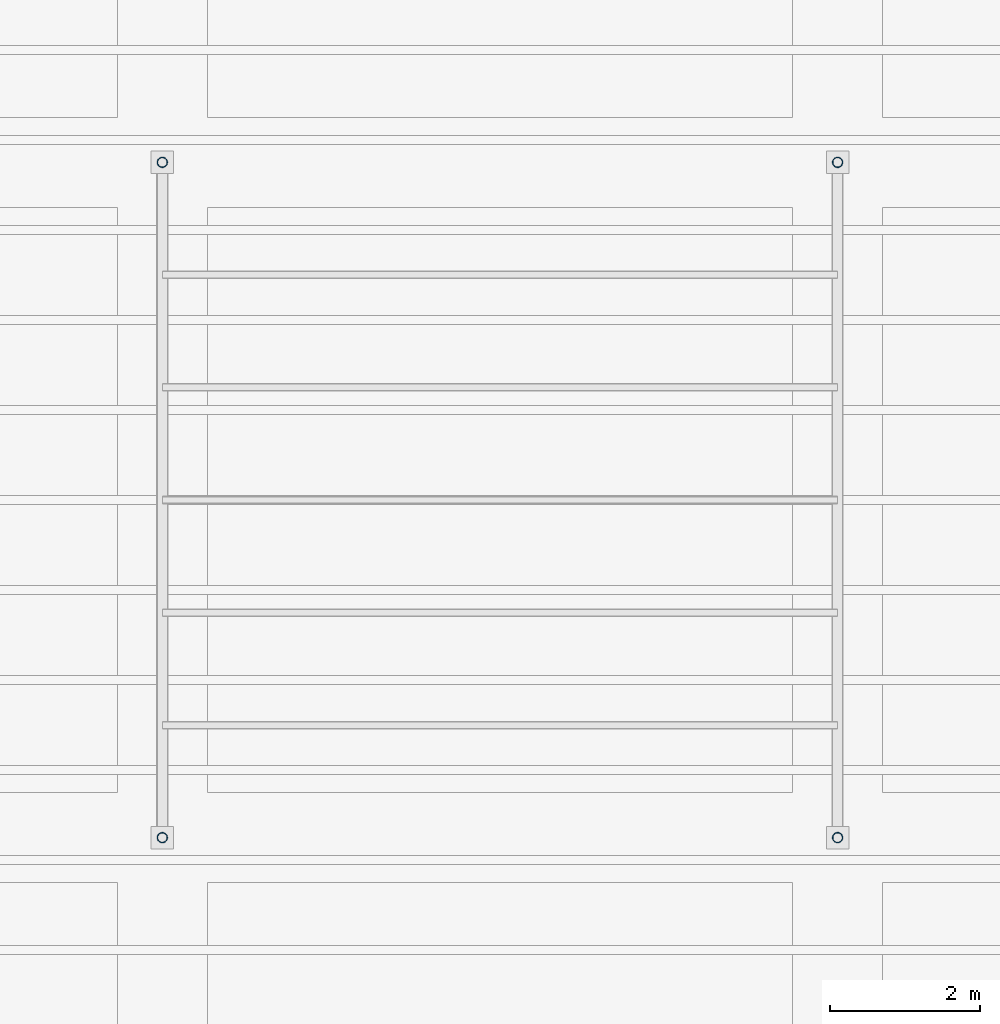
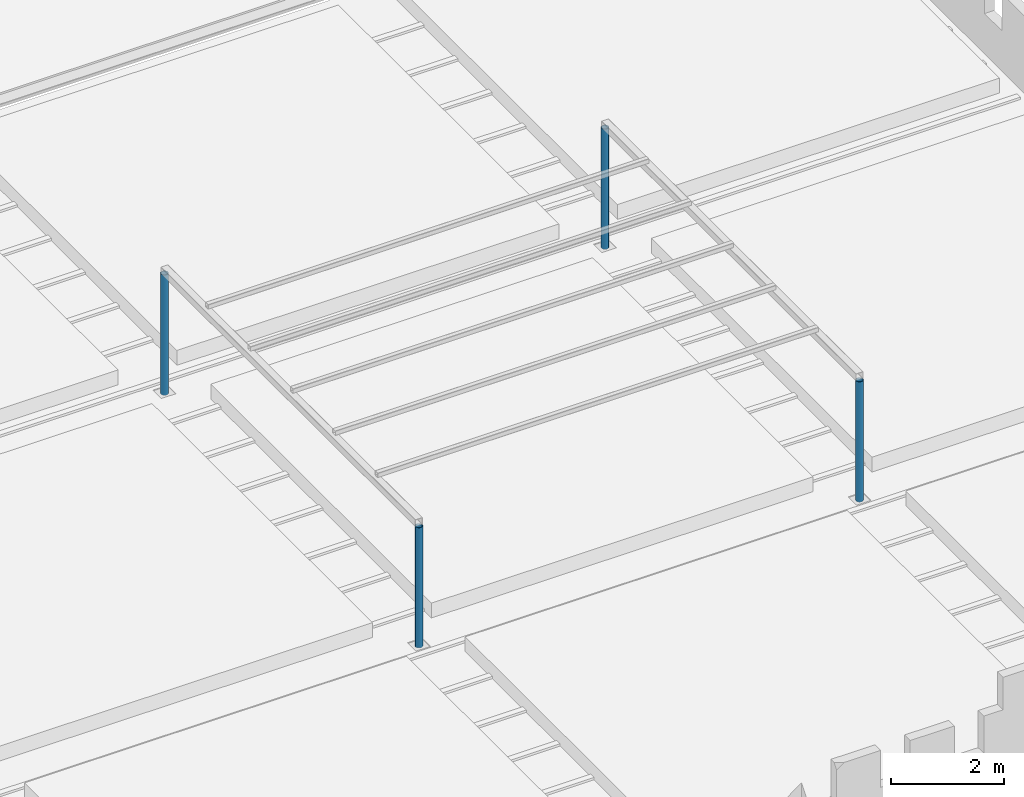
# One storey, part 13 of 153: 4 columns.
"""IFC4 building model written with IfcOpenShell, lengths in metres."""

from ifc_helpers import new_model, si_unit, direction, frame, origin, origin_2d, place, context, subcontext, project, spatial, hollow_circle, extrude, material, material_profile, profile_set, type_object, element, save


model = new_model("IFC4")

# Units and contexts
model_context = context("Model", 3, precision=1e-05, world=origin(), true_north=direction((0.0, 1.0)))
body_context = subcontext(model_context, "Body", "Model", "MODEL_VIEW")
ifc_project = project(units=[si_unit("LENGTHUNIT", "METRE"), si_unit("AREAUNIT", "SQUARE_METRE"), si_unit("VOLUMEUNIT", "CUBIC_METRE"), si_unit("PLANEANGLEUNIT", "RADIAN"), si_unit("MASSUNIT", "GRAM", prefix="KILO")], contexts=[model_context])

# Site, building, storey
site_placement = place(None, origin())
site = spatial("IfcSite", under=ifc_project, at=site_placement, CompositionType="ELEMENT")
building_placement = place(site_placement, origin())
building = spatial("IfcBuilding", under=site, at=building_placement, Name="Baradari Gate Terminus", CompositionType="ELEMENT")
storey_placement = place(building_placement, frame((0.0, 0.0, 11.699951171875)))
storey = spatial("IfcBuildingStorey", under=building, at=storey_placement, Name="L02", CompositionType="ELEMENT", Elevation=11.699951171875)

# Columns
ifc_material = material(Name="Steel S355", Category="steel")
ifc_material_profile = material_profile(ifc_material, hollow_circle(Radius=0.06982421875, WallThickness=0.008056640625, at=origin_2d()), Name="CHS 139.7x8")
ifc_profile_set = profile_set([ifc_material_profile], Name="Steel S355")
column_type = type_object("IfcColumnType", Name="Pergola post CHS 139.7x8", PredefinedType="COLUMN", material=ifc_profile_set)
for number, where, z_axis, x_axis, name in (
    (1, (135.0, 18.0, 0.0), (0.0, 0.0, 1.0), (1.0, 0.0, 0.0), "RF/L02/PGS3-PGC1"),
    (2, (144.0, 18.0, 0.0), (0.0, 0.0, 1.0), (1.0, 0.0, 0.0), "RF/L02/PGS3-PGC2"),
    (3, (144.0, 27.0, 0.0), (0.0, 0.0, 1.0), (1.0, 0.0, 0.0), "RF/L02/PGS3-PGC3"),
    (4, (135.0, 27.0, 0.0), (0.0, 0.0, 1.0), (1.0, 0.0, 0.0), "RF/L02/PGS3-PGC4"),
):
    element("IfcColumn", number, at=place(storey_placement, frame(where, z_axis=z_axis, x_axis=x_axis)), inside=storey, type_object=column_type, Name=name, PredefinedType="COLUMN", context=body_context, shape_type="SweptSolid", body=[
        extrude(hollow_circle(Radius=0.06982421875, WallThickness=0.008056640625, at=origin_2d()), origin(), (0.0, 0.0, 1.0), 2.60009765625),
    ])

save(model, "model.ifc")
